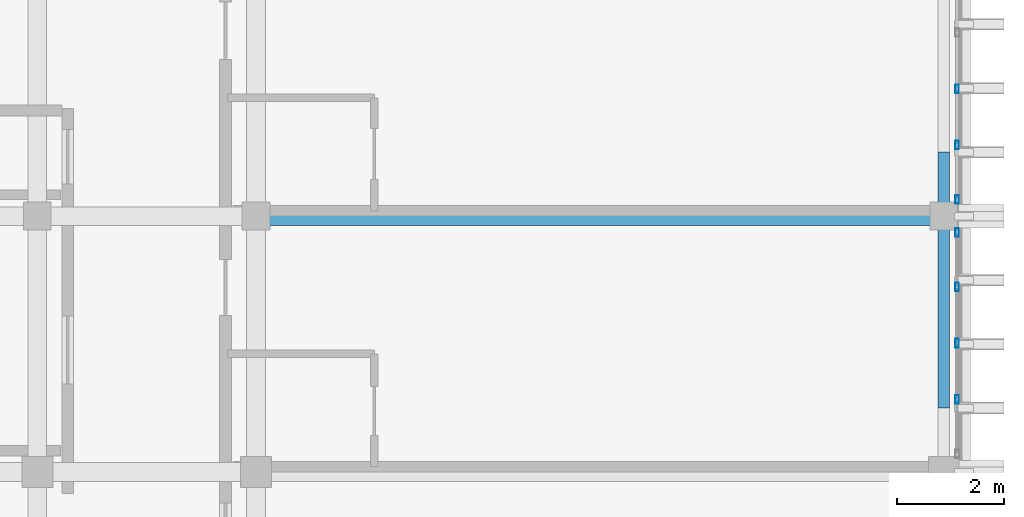
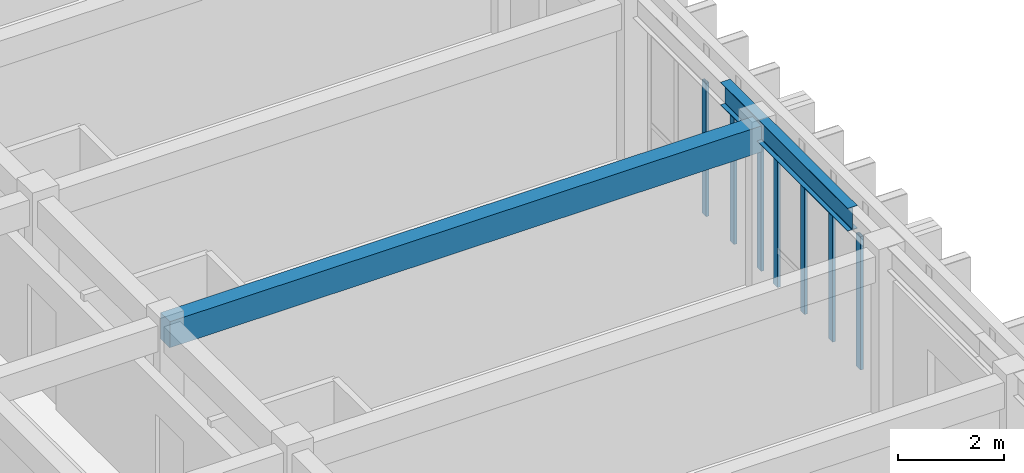
# One storey, part 23 of 49: 7 members, 2 beams, 2 elements without a shape of their own.
"""IFC4 building model written with IfcOpenShell, lengths in metres."""

from ifc_helpers import new_model, si_unit, direction, frame, origin, origin_2d, place, context, subcontext, project, spatial, rectangle, hollow_rectangle, i_section, extrude, material, layer, layer_set, material_profile, profile_set, type_object, element, aggregate, save


model = new_model("IFC4")

# Units and contexts
model_context = context("Model", 3, precision=1e-05, world=origin(), true_north=direction((0.0, 1.0)))
body_context = subcontext(model_context, "Body", "Model", "MODEL_VIEW")
ifc_project = project(units=[si_unit("LENGTHUNIT", "METRE"), si_unit("AREAUNIT", "SQUARE_METRE"), si_unit("VOLUMEUNIT", "CUBIC_METRE"), si_unit("PLANEANGLEUNIT", "RADIAN"), si_unit("MASSUNIT", "GRAM", prefix="KILO")], contexts=[model_context])

# Site, building, storey
site_placement = place(None, origin())
site = spatial("IfcSite", under=ifc_project, at=site_placement, CompositionType="ELEMENT")
building_placement = place(site_placement, origin())
building = spatial("IfcBuilding", under=site, at=building_placement, Name="Nakhvara Creek Congress Hotel", CompositionType="ELEMENT")
storey_placement = place(building_placement, frame((0.0, 0.0, 46.5)))
storey = spatial("IfcBuildingStorey", under=building, at=storey_placement, Name="L11", CompositionType="ELEMENT", Elevation=46.5)

# Beams
ifc_material_1 = material(Name="Concrete C40/50", Category="concrete")
ifc_material_profile_1 = material_profile(ifc_material_1, rectangle(XDim=0.35009765625, YDim=0.60009765625, at=origin_2d()), Name="RC-BM 350x600", Category="LoadBearing")
ifc_profile_set_1 = profile_set([ifc_material_profile_1], Name="Concrete C40/50")
beam_type_1 = type_object("IfcBeamType", Name="BM-RC-350X600", PredefinedType="BEAM", material=ifc_profile_set_1)
beam_1_placement = place(storey_placement, frame((166.449951171875, 100.800048828125, 3.3798828125), z_axis=(1.0, 0.0, 0.0), x_axis=(0.0, 1.0, 0.0)))
element("IfcBeam", 1, at=beam_1_placement, inside=storey, type_object=beam_type_1, Name="Beam B07-L11-2778", PredefinedType="BEAM", context=body_context, shape_type="SweptSolid", body=[
    extrude(rectangle(XDim=0.35009765625, YDim=0.60009765625, at=origin_2d()), origin(), (0.0, 0.0, 1.0), 12.900146484375),
])
ifc_material_2 = material(Name="Steel S355J2", Category="steel")
ifc_material_profile_2 = material_profile(ifc_material_2, i_section(OverallWidth=0.209228515625, OverallDepth=0.533203125, WebThickness=0.010009765625, FlangeThickness=0.015625, FilletRadius=0.0126953125, at=origin_2d()), Name="UB 533x210x92", Category="LoadBearing")
ifc_profile_set_2 = profile_set([ifc_material_profile_2], Name="Steel S355J2")
beam_type_2 = type_object("IfcBeamType", Name="BM-ST-UB533", PredefinedType="BEAM", material=ifc_profile_set_2)
beam_2_placement = place(storey_placement, frame((179.35009765625, 97.199951171875, 3.6201171875), z_axis=(0.0, 1.0, 0.0), x_axis=(-1.0, 0.0, 0.0)))
element("IfcBeam", 2, at=beam_2_placement, inside=storey, type_object=beam_type_2, Name="Hotel Gable Eave Beam E-06", PredefinedType="BEAM", context=body_context, shape_type="SweptSolid", body=[
    extrude(i_section(OverallWidth=0.209228515625, OverallDepth=0.533203125, WebThickness=0.010009765625, FlangeThickness=0.015625, FilletRadius=0.0126953125, at=origin_2d()), origin(), (0.0, 0.0, 1.0), 4.800048828125),
])

# Curtain wall, members
ifc_material_3 = material(Name="Bronze-anodised aluminium AW-6063-T6 and double-silver low-E glass", Category="aluminium")
ifc_layer = layer(ifc_material_3, 0.199951171875)
ifc_layer_set = layer_set([ifc_layer], Name="Bronze-anodised aluminium AW-6063-T6 and double-silver low-E glass")
curtain_wall_type = type_object("IfcCurtainWallType", Name="CW-HTL-UNIT", PredefinedType="USERDEFINED", material=ifc_layer_set)
curtain_wall_1_placement = place(storey_placement, origin())
curtain_wall_1 = element("IfcCurtainWall", 3, at=curtain_wall_1_placement, inside=storey, type_object=curtain_wall_type, Name="Curtain Wall CW340", ObjectType="UNITISED", PredefinedType="USERDEFINED")
ifc_material_4 = material(Name="Bronze-anodised aluminium AW-6063-T6", Category="aluminium")
ifc_material_profile_3 = material_profile(ifc_material_4, hollow_rectangle(XDim=0.06494140625, YDim=0.159912109375, WallThickness=0.00390625, at=origin_2d()), Name="ALU-MULL 65x160x4", Category="LoadBearing")
ifc_profile_set_3 = profile_set([ifc_material_profile_3], Name="Bronze-anodised aluminium AW-6063-T6")
member_type = type_object("IfcMemberType", Name="CW-MULL-160", PredefinedType="MULLION", material=ifc_profile_set_3)
member_1_placement = place(storey_placement, frame((179.60009765625, 100.492431640625, 0.0), z_axis=(0.0, 0.0, 1.0), x_axis=(1.0, 0.0, 0.0)))
member_1 = element("IfcMember", 4, at=member_1_placement, type_object=member_type, Name="CW340 mullion 1", PredefinedType="MULLION", context=body_context, shape_type="SweptSolid", body=[
    extrude(hollow_rectangle(XDim=0.06494140625, YDim=0.159912109375, WallThickness=0.00390625, at=origin_2d()), origin(), (0.0, 0.0, 1.0), 3.072021484375),
])
member_2_placement = place(storey_placement, frame((179.60009765625, 99.469970703125, 0.0), z_axis=(0.0, 0.0, 1.0), x_axis=(1.0, 0.0, 0.0)))
member_2 = element("IfcMember", 5, at=member_2_placement, type_object=member_type, Name="CW340 mullion 2", PredefinedType="MULLION", context=body_context, shape_type="SweptSolid", body=[
    extrude(hollow_rectangle(XDim=0.06494140625, YDim=0.159912109375, WallThickness=0.00390625, at=origin_2d()), origin(), (0.0, 0.0, 1.0), 3.072021484375),
])
member_3_placement = place(storey_placement, frame((179.60009765625, 98.4150390625, 0.0), z_axis=(0.0, 0.0, 1.0), x_axis=(1.0, 0.0, 0.0)))
member_3 = element("IfcMember", 6, at=member_3_placement, type_object=member_type, Name="CW340 mullion 3", PredefinedType="MULLION", context=body_context, shape_type="SweptSolid", body=[
    extrude(hollow_rectangle(XDim=0.06494140625, YDim=0.159912109375, WallThickness=0.00390625, at=origin_2d()), origin(), (0.0, 0.0, 1.0), 3.072021484375),
])
member_4_placement = place(storey_placement, frame((179.60009765625, 97.360107421875, 0.0), z_axis=(0.0, 0.0, 1.0), x_axis=(1.0, 0.0, 0.0)))
member_4 = element("IfcMember", 7, at=member_4_placement, type_object=member_type, Name="CW340 mullion 4", PredefinedType="MULLION", context=body_context, shape_type="SweptSolid", body=[
    extrude(hollow_rectangle(XDim=0.06494140625, YDim=0.159912109375, WallThickness=0.00390625, at=origin_2d()), origin(), (0.0, 0.0, 1.0), 3.072021484375),
])
aggregate(curtain_wall_1, [member_1, member_2, member_3, member_4])

curtain_wall_2_placement = place(storey_placement, origin())
curtain_wall_2 = element("IfcCurtainWall", 8, at=curtain_wall_2_placement, inside=storey, type_object=curtain_wall_type, Name="Curtain Wall CW342", ObjectType="UNITISED", PredefinedType="USERDEFINED")
member_5_placement = place(storey_placement, frame((179.60009765625, 103.18505859375, 0.0), z_axis=(0.0, 0.0, 1.0), x_axis=(1.0, 0.0, 0.0)))
member_5 = element("IfcMember", 9, at=member_5_placement, type_object=member_type, Name="CW342 mullion 3", PredefinedType="MULLION", context=body_context, shape_type="SweptSolid", body=[
    extrude(hollow_rectangle(XDim=0.06494140625, YDim=0.159912109375, WallThickness=0.00390625, at=origin_2d()), origin(), (0.0, 0.0, 1.0), 3.072021484375),
])
member_6_placement = place(storey_placement, frame((179.60009765625, 102.1298828125, 0.0), z_axis=(0.0, 0.0, 1.0), x_axis=(1.0, 0.0, 0.0)))
member_6 = element("IfcMember", 10, at=member_6_placement, type_object=member_type, Name="CW342 mullion 4", PredefinedType="MULLION", context=body_context, shape_type="SweptSolid", body=[
    extrude(hollow_rectangle(XDim=0.06494140625, YDim=0.159912109375, WallThickness=0.00390625, at=origin_2d()), origin(), (0.0, 0.0, 1.0), 3.072021484375),
])
member_7_placement = place(storey_placement, frame((179.60009765625, 101.107421875, 0.0), z_axis=(0.0, 0.0, 1.0), x_axis=(1.0, 0.0, 0.0)))
member_7 = element("IfcMember", 11, at=member_7_placement, type_object=member_type, Name="CW342 mullion 5", PredefinedType="MULLION", context=body_context, shape_type="SweptSolid", body=[
    extrude(hollow_rectangle(XDim=0.06494140625, YDim=0.159912109375, WallThickness=0.00390625, at=origin_2d()), origin(), (0.0, 0.0, 1.0), 3.072021484375),
])
aggregate(curtain_wall_2, [member_5, member_6, member_7])

save(model, "model.ifc")
